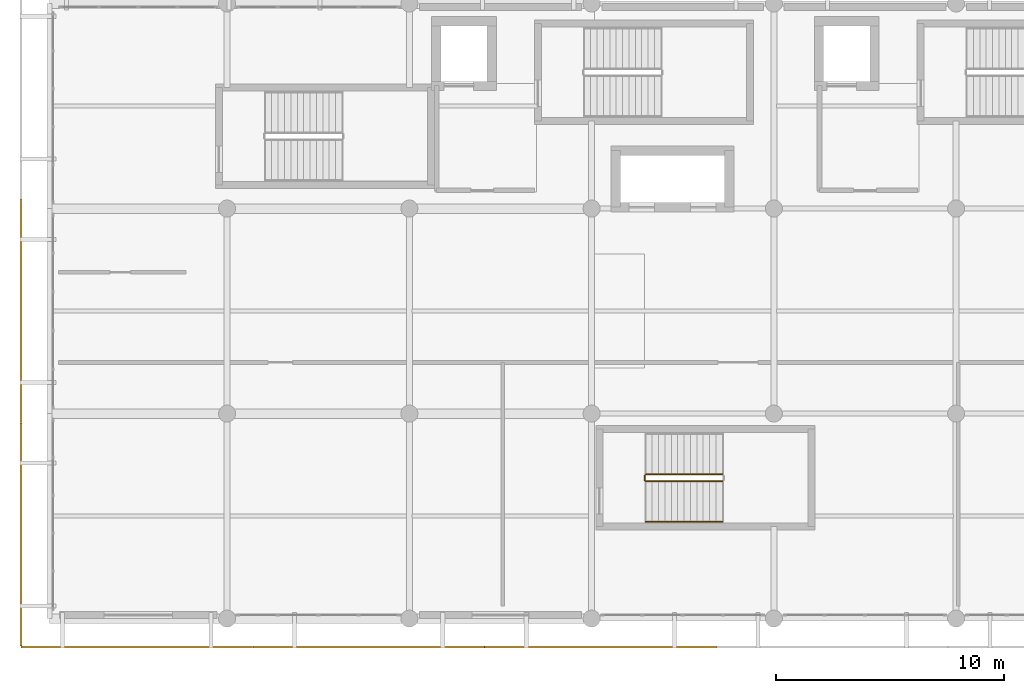
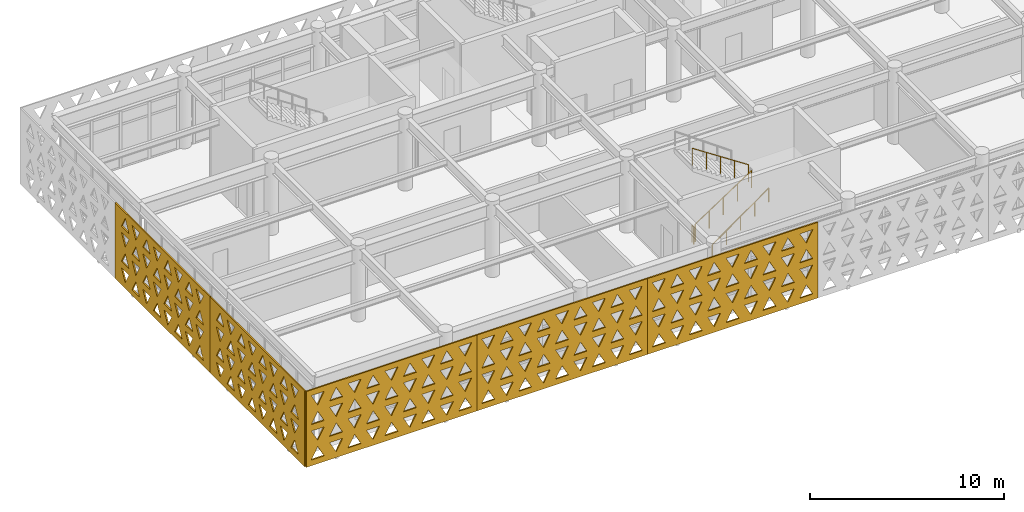
# One storey, part 26 of 33: 5 coverings, 4 railings.
"""IFC4 building model written with IfcOpenShell, lengths in metres."""

from ifc_helpers import new_model, si_unit, direction, frame, origin, origin_2d, place, context, subcontext, project, spatial, polyline, circle, outline, extrude, material, layer, layer_set, type_object, element, save


model = new_model("IFC4")

# Units and contexts
model_context = context("Model", 3, precision=1e-05, world=origin(), true_north=direction((0.0, 1.0)))
body_context = subcontext(model_context, "Body", "Model", "MODEL_VIEW")
ifc_project = project(units=[si_unit("LENGTHUNIT", "METRE"), si_unit("AREAUNIT", "SQUARE_METRE"), si_unit("VOLUMEUNIT", "CUBIC_METRE"), si_unit("PLANEANGLEUNIT", "RADIAN"), si_unit("MASSUNIT", "GRAM", prefix="KILO")], contexts=[model_context])

# Site, building, storey
site_placement = place(None, origin())
site = spatial("IfcSite", under=ifc_project, at=site_placement, CompositionType="ELEMENT")
building_placement = place(site_placement, origin())
building = spatial("IfcBuilding", under=site, at=building_placement, Name="Tlacozan Convention Centre", CompositionType="ELEMENT")
storey_placement = place(building_placement, frame((0.0, 0.0, 16.199951171875)))
storey = spatial("IfcBuildingStorey", under=building, at=storey_placement, Name="L03", CompositionType="ELEMENT", Elevation=16.199951171875)

# Railings
ifc_material_1 = material(Name="Architectural Painted Galvanised Steel Railing", Category="steel")
railing_type_1 = type_object("IfcRailingType", Name="Stair Wall Handrail 900", PredefinedType="HANDRAIL", material=ifc_material_1)
railing_1_placement = place(storey_placement, frame((26.3798828125, 4.25, 0.1845703125)))
element("IfcRailing", 1, at=railing_1_placement, inside=storey, type_object=railing_type_1, Name="L03 ST-16 stair handrail 1", PredefinedType="HANDRAIL", context=body_context, shape_type="SweptSolid", body=[
    extrude(circle(Radius=0.02392578125, at=origin_2d()), frame((0.0, 0.0, 0.8759765625), z_axis=(0.813725481382, 0.0, 0.581249379312), x_axis=(0.0, 1.0, 0.0)), (0.0, 0.0, 1.0), 4.12939453125),
    extrude(circle(Radius=0.02099609375, at=origin_2d()), origin(), (0.0, 0.0, 1.0), 0.851806640625),
    extrude(circle(Radius=0.02099609375, at=origin_2d()), frame((0.840087890625, 0.0, 0.60009765625)), (0.0, 0.0, 1.0), 0.851806640625),
    extrude(circle(Radius=0.02099609375, at=origin_2d()), frame((1.68017578125, 0.0, 1.2001953125)), (0.0, 0.0, 1.0), 0.851806640625),
    extrude(circle(Radius=0.02099609375, at=origin_2d()), frame((2.52001953125, 0.0, 1.800048828125)), (0.0, 0.0, 1.0), 0.851806640625),
    extrude(circle(Radius=0.02099609375, at=origin_2d()), frame((3.360107421875, 0.0, 2.400146484375)), (0.0, 0.0, 1.0), 0.851806640625),
])
railing_type_2 = type_object("IfcRailingType", Name="Stair Well Guardrail 1100", PredefinedType="GUARDRAIL", material=ifc_material_1)
railing_2_placement = place(storey_placement, frame((26.3798828125, 6.030029296875, 0.1845703125)))
element("IfcRailing", 2, at=railing_2_placement, inside=storey, type_object=railing_type_2, Name="L03 ST-16 stair guard 1", PredefinedType="GUARDRAIL", context=body_context, shape_type="SweptSolid", body=[
    extrude(circle(Radius=0.02392578125, at=origin_2d()), frame((0.0, 0.0, 1.076171875), z_axis=(0.834848600103, 0.0, 0.550479622607), x_axis=(0.0, 1.0, 0.0)), (0.0, 0.0, 1.0), 4.02490234375),
    extrude(circle(Radius=0.02099609375, at=origin_2d()), origin(), (0.0, 0.0, 1.0), 1.052001953125),
    extrude(circle(Radius=0.02099609375, at=origin_2d()), frame((0.840087890625, 0.0, 0.553955078125)), (0.0, 0.0, 1.0), 1.052001953125),
    extrude(circle(Radius=0.02099609375, at=origin_2d()), frame((1.68017578125, 0.0, 1.10791015625)), (0.0, 0.0, 1.0), 1.052001953125),
    extrude(circle(Radius=0.02099609375, at=origin_2d()), frame((2.52001953125, 0.0, 1.66162109375)), (0.0, 0.0, 1.0), 1.052001953125),
    extrude(circle(Radius=0.02099609375, at=origin_2d()), frame((3.360107421875, 0.0, 2.215576171875)), (0.0, 0.0, 1.0), 1.052001953125),
])
railing_3_placement = place(storey_placement, frame((29.739990234375, 6.330078125, 2.584716796875)))
element("IfcRailing", 3, at=railing_3_placement, inside=storey, type_object=railing_type_2, Name="L03 ST-16 stair guard 3", PredefinedType="GUARDRAIL", context=body_context, shape_type="SweptSolid", body=[
    extrude(circle(Radius=0.02392578125, at=origin_2d()), frame((0.0, 0.0, 1.076171875), z_axis=(-0.834876476806, 0.0, 0.550437342915), x_axis=(0.0, -1.0, 0.0)), (0.0, 0.0, 1.0), 4.024658203125),
    extrude(circle(Radius=0.02099609375, at=origin_2d()), origin(), (0.0, 0.0, 1.0), 1.052001953125),
    extrude(circle(Radius=0.02099609375, at=origin_2d()), frame((-0.840087890625, 0.0, 0.5537109375)), (0.0, 0.0, 1.0), 1.052001953125),
    extrude(circle(Radius=0.02099609375, at=origin_2d()), frame((-1.68017578125, 0.0, 1.107666015625)), (0.0, 0.0, 1.0), 1.052001953125),
    extrude(circle(Radius=0.02099609375, at=origin_2d()), frame((-2.52001953125, 0.0, 1.66162109375)), (0.0, 0.0, 1.0), 1.052001953125),
    extrude(circle(Radius=0.02099609375, at=origin_2d()), frame((-3.360107421875, 0.0, 2.21533203125)), (0.0, 0.0, 1.0), 1.052001953125),
])
railing_4_placement = place(storey_placement, frame((26.330078125, 6.080078125, 0.0)))
element("IfcRailing", 4, at=railing_4_placement, inside=storey, type_object=railing_type_2, Name="L03 ST-16 stair guard 4", PredefinedType="GUARDRAIL", context=body_context, shape_type="SweptSolid", body=[
    extrude(circle(Radius=0.02392578125, at=origin_2d()), frame((0.0, 0.0, 1.076171875), z_axis=(0.0, 1.0, 0.0), x_axis=(-1.0, 0.0, 0.0)), (0.0, 0.0, 1.0), 0.199951171875),
    extrude(circle(Radius=0.02099609375, at=origin_2d()), origin(), (0.0, 0.0, 1.0), 1.052001953125),
    extrude(circle(Radius=0.02099609375, at=origin_2d()), frame((0.0, 0.199951171875, 0.0)), (0.0, 0.0, 1.0), 1.052001953125),
])

# Coverings
ifc_material_2 = material(Name="Toluca Fired Terracotta Masonry Solar Screen", Category="masonry")
ifc_layer = layer(ifc_material_2, 0.080078125)
ifc_layer_set = layer_set([ifc_layer], Name="Toluca Fired Terracotta Masonry Solar Screen")
covering_type = type_object("IfcCoveringType", Name="Terracotta Triangle Solar Screen 80", PredefinedType="USERDEFINED", material=ifc_layer_set)
covering_1_placement = place(storey_placement, frame((-1.048095703125, -1.25, -0.030029296875), z_axis=(0.0, 0.0, 1.0), x_axis=(1.0, 0.0, 0.0)))
element("IfcCovering", 5, at=covering_1_placement, inside=storey, type_object=covering_type, Name="L03 Terracotta Triangle Screen 51", ObjectType="SCREEN", PredefinedType="USERDEFINED", context=body_context, shape_type="SweptSolid", body=[
    extrude(outline(polyline([(0.0, 0.0), (10.171142578125, 0.0), (10.171142578125, 4.780029296875), (0.0, 4.780029296875), (0.0, 0.0)]), holes=[polyline([(0.299560546875, 0.360107421875), (1.071533203125, 0.360107421875), (0.685546875, 1.074951171875), (0.299560546875, 0.360107421875)]), polyline([(1.399658203125, 1.074951171875), (2.171630859375, 1.074951171875), (1.78564453125, 0.360107421875), (1.399658203125, 1.074951171875)]), polyline([(2.49951171875, 0.360107421875), (3.271484375, 0.360107421875), (2.885498046875, 1.074951171875), (2.49951171875, 0.360107421875)]), polyline([(3.599609375, 1.074951171875), (4.37158203125, 1.074951171875), (3.985595703125, 0.360107421875), (3.599609375, 1.074951171875)]), polyline([(4.699462890625, 0.360107421875), (5.4716796875, 0.360107421875), (5.08544921875, 1.074951171875), (4.699462890625, 0.360107421875)]), polyline([(5.799560546875, 1.074951171875), (6.571533203125, 1.074951171875), (6.185546875, 0.360107421875), (5.799560546875, 1.074951171875)]), polyline([(6.899658203125, 0.360107421875), (7.671630859375, 0.360107421875), (7.28564453125, 1.074951171875), (6.899658203125, 0.360107421875)]), polyline([(7.99951171875, 1.074951171875), (8.771484375, 1.074951171875), (8.385498046875, 0.360107421875), (7.99951171875, 1.074951171875)]), polyline([(9.099609375, 0.360107421875), (9.87158203125, 0.360107421875), (9.485595703125, 1.074951171875), (9.099609375, 0.360107421875)]), polyline([(0.299560546875, 2.18994140625), (1.071533203125, 2.18994140625), (0.685546875, 1.47509765625), (0.299560546875, 2.18994140625)]), polyline([(1.399658203125, 1.47509765625), (2.171630859375, 1.47509765625), (1.78564453125, 2.18994140625), (1.399658203125, 1.47509765625)]), polyline([(2.49951171875, 2.18994140625), (3.271484375, 2.18994140625), (2.885498046875, 1.47509765625), (2.49951171875, 2.18994140625)]), polyline([(3.599609375, 1.47509765625), (4.37158203125, 1.47509765625), (3.985595703125, 2.18994140625), (3.599609375, 1.47509765625)]), polyline([(4.699462890625, 2.18994140625), (5.4716796875, 2.18994140625), (5.08544921875, 1.47509765625), (4.699462890625, 2.18994140625)]), polyline([(5.799560546875, 1.47509765625), (6.571533203125, 1.47509765625), (6.185546875, 2.18994140625), (5.799560546875, 1.47509765625)]), polyline([(6.899658203125, 2.18994140625), (7.671630859375, 2.18994140625), (7.28564453125, 1.47509765625), (6.899658203125, 2.18994140625)]), polyline([(7.99951171875, 1.47509765625), (8.771484375, 1.47509765625), (8.385498046875, 2.18994140625), (7.99951171875, 1.47509765625)]), polyline([(9.099609375, 2.18994140625), (9.87158203125, 2.18994140625), (9.485595703125, 1.47509765625), (9.099609375, 2.18994140625)]), polyline([(0.299560546875, 2.590087890625), (1.071533203125, 2.590087890625), (0.685546875, 3.304931640625), (0.299560546875, 2.590087890625)]), polyline([(1.399658203125, 3.304931640625), (2.171630859375, 3.304931640625), (1.78564453125, 2.590087890625), (1.399658203125, 3.304931640625)]), polyline([(2.49951171875, 2.590087890625), (3.271484375, 2.590087890625), (2.885498046875, 3.304931640625), (2.49951171875, 2.590087890625)]), polyline([(3.599609375, 3.304931640625), (4.37158203125, 3.304931640625), (3.985595703125, 2.590087890625), (3.599609375, 3.304931640625)]), polyline([(4.699462890625, 2.590087890625), (5.4716796875, 2.590087890625), (5.08544921875, 3.304931640625), (4.699462890625, 2.590087890625)]), polyline([(5.799560546875, 3.304931640625), (6.571533203125, 3.304931640625), (6.185546875, 2.590087890625), (5.799560546875, 3.304931640625)]), polyline([(6.899658203125, 2.590087890625), (7.671630859375, 2.590087890625), (7.28564453125, 3.304931640625), (6.899658203125, 2.590087890625)]), polyline([(7.99951171875, 3.304931640625), (8.771484375, 3.304931640625), (8.385498046875, 2.590087890625), (7.99951171875, 3.304931640625)]), polyline([(9.099609375, 2.590087890625), (9.87158203125, 2.590087890625), (9.485595703125, 3.304931640625), (9.099609375, 2.590087890625)]), polyline([(0.299560546875, 4.419921875), (1.071533203125, 4.419921875), (0.685546875, 3.705078125), (0.299560546875, 4.419921875)]), polyline([(1.399658203125, 3.705078125), (2.171630859375, 3.705078125), (1.78564453125, 4.419921875), (1.399658203125, 3.705078125)]), polyline([(2.49951171875, 4.419921875), (3.271484375, 4.419921875), (2.885498046875, 3.705078125), (2.49951171875, 4.419921875)]), polyline([(3.599609375, 3.705078125), (4.37158203125, 3.705078125), (3.985595703125, 4.419921875), (3.599609375, 3.705078125)]), polyline([(4.699462890625, 4.419921875), (5.4716796875, 4.419921875), (5.08544921875, 3.705078125), (4.699462890625, 4.419921875)]), polyline([(5.799560546875, 3.705078125), (6.571533203125, 3.705078125), (6.185546875, 4.419921875), (5.799560546875, 3.705078125)]), polyline([(6.899658203125, 4.419921875), (7.671630859375, 4.419921875), (7.28564453125, 3.705078125), (6.899658203125, 4.419921875)]), polyline([(7.99951171875, 3.705078125), (8.771484375, 3.705078125), (8.385498046875, 4.419921875), (7.99951171875, 3.705078125)]), polyline([(9.099609375, 4.419921875), (9.87158203125, 4.419921875), (9.485595703125, 3.705078125), (9.099609375, 4.419921875)])]), frame((0.0, 0.0400390625, 0.0), z_axis=(0.0, -1.0, 0.0), x_axis=(1.0, 0.0, 0.0)), (0.0, 0.0, 1.0), 0.080078125),
])
covering_2_placement = place(storey_placement, frame((9.126953125, -1.25, -0.030029296875), z_axis=(0.0, 0.0, 1.0), x_axis=(1.0, 0.0, 0.0)))
element("IfcCovering", 6, at=covering_2_placement, inside=storey, type_object=covering_type, Name="L03 Terracotta Triangle Screen 52", ObjectType="SCREEN", PredefinedType="USERDEFINED", context=body_context, shape_type="SweptSolid", body=[
    extrude(outline(polyline([(0.0, 0.0), (10.171142578125, 0.0), (10.171142578125, 4.780029296875), (0.0, 4.780029296875), (0.0, 0.0)]), holes=[polyline([(0.299560546875, 0.360107421875), (1.071533203125, 0.360107421875), (0.685546875, 1.074951171875), (0.299560546875, 0.360107421875)]), polyline([(1.399658203125, 1.074951171875), (2.171630859375, 1.074951171875), (1.78564453125, 0.360107421875), (1.399658203125, 1.074951171875)]), polyline([(2.49951171875, 0.360107421875), (3.271484375, 0.360107421875), (2.885498046875, 1.074951171875), (2.49951171875, 0.360107421875)]), polyline([(3.599609375, 1.074951171875), (4.37158203125, 1.074951171875), (3.985595703125, 0.360107421875), (3.599609375, 1.074951171875)]), polyline([(4.699462890625, 0.360107421875), (5.4716796875, 0.360107421875), (5.08544921875, 1.074951171875), (4.699462890625, 0.360107421875)]), polyline([(5.799560546875, 1.074951171875), (6.571533203125, 1.074951171875), (6.185546875, 0.360107421875), (5.799560546875, 1.074951171875)]), polyline([(6.899658203125, 0.360107421875), (7.671630859375, 0.360107421875), (7.28564453125, 1.074951171875), (6.899658203125, 0.360107421875)]), polyline([(7.99951171875, 1.074951171875), (8.771484375, 1.074951171875), (8.385498046875, 0.360107421875), (7.99951171875, 1.074951171875)]), polyline([(9.099609375, 0.360107421875), (9.87158203125, 0.360107421875), (9.485595703125, 1.074951171875), (9.099609375, 0.360107421875)]), polyline([(0.299560546875, 2.18994140625), (1.071533203125, 2.18994140625), (0.685546875, 1.47509765625), (0.299560546875, 2.18994140625)]), polyline([(1.399658203125, 1.47509765625), (2.171630859375, 1.47509765625), (1.78564453125, 2.18994140625), (1.399658203125, 1.47509765625)]), polyline([(2.49951171875, 2.18994140625), (3.271484375, 2.18994140625), (2.885498046875, 1.47509765625), (2.49951171875, 2.18994140625)]), polyline([(3.599609375, 1.47509765625), (4.37158203125, 1.47509765625), (3.985595703125, 2.18994140625), (3.599609375, 1.47509765625)]), polyline([(4.699462890625, 2.18994140625), (5.4716796875, 2.18994140625), (5.08544921875, 1.47509765625), (4.699462890625, 2.18994140625)]), polyline([(5.799560546875, 1.47509765625), (6.571533203125, 1.47509765625), (6.185546875, 2.18994140625), (5.799560546875, 1.47509765625)]), polyline([(6.899658203125, 2.18994140625), (7.671630859375, 2.18994140625), (7.28564453125, 1.47509765625), (6.899658203125, 2.18994140625)]), polyline([(7.99951171875, 1.47509765625), (8.771484375, 1.47509765625), (8.385498046875, 2.18994140625), (7.99951171875, 1.47509765625)]), polyline([(9.099609375, 2.18994140625), (9.87158203125, 2.18994140625), (9.485595703125, 1.47509765625), (9.099609375, 2.18994140625)]), polyline([(0.299560546875, 2.590087890625), (1.071533203125, 2.590087890625), (0.685546875, 3.304931640625), (0.299560546875, 2.590087890625)]), polyline([(1.399658203125, 3.304931640625), (2.171630859375, 3.304931640625), (1.78564453125, 2.590087890625), (1.399658203125, 3.304931640625)]), polyline([(2.49951171875, 2.590087890625), (3.271484375, 2.590087890625), (2.885498046875, 3.304931640625), (2.49951171875, 2.590087890625)]), polyline([(3.599609375, 3.304931640625), (4.37158203125, 3.304931640625), (3.985595703125, 2.590087890625), (3.599609375, 3.304931640625)]), polyline([(4.699462890625, 2.590087890625), (5.4716796875, 2.590087890625), (5.08544921875, 3.304931640625), (4.699462890625, 2.590087890625)]), polyline([(5.799560546875, 3.304931640625), (6.571533203125, 3.304931640625), (6.185546875, 2.590087890625), (5.799560546875, 3.304931640625)]), polyline([(6.899658203125, 2.590087890625), (7.671630859375, 2.590087890625), (7.28564453125, 3.304931640625), (6.899658203125, 2.590087890625)]), polyline([(7.99951171875, 3.304931640625), (8.771484375, 3.304931640625), (8.385498046875, 2.590087890625), (7.99951171875, 3.304931640625)]), polyline([(9.099609375, 2.590087890625), (9.87158203125, 2.590087890625), (9.485595703125, 3.304931640625), (9.099609375, 2.590087890625)]), polyline([(0.299560546875, 4.419921875), (1.071533203125, 4.419921875), (0.685546875, 3.705078125), (0.299560546875, 4.419921875)]), polyline([(1.399658203125, 3.705078125), (2.171630859375, 3.705078125), (1.78564453125, 4.419921875), (1.399658203125, 3.705078125)]), polyline([(2.49951171875, 4.419921875), (3.271484375, 4.419921875), (2.885498046875, 3.705078125), (2.49951171875, 4.419921875)]), polyline([(3.599609375, 3.705078125), (4.37158203125, 3.705078125), (3.985595703125, 4.419921875), (3.599609375, 3.705078125)]), polyline([(4.699462890625, 4.419921875), (5.4716796875, 4.419921875), (5.08544921875, 3.705078125), (4.699462890625, 4.419921875)]), polyline([(5.799560546875, 3.705078125), (6.571533203125, 3.705078125), (6.185546875, 4.419921875), (5.799560546875, 3.705078125)]), polyline([(6.899658203125, 4.419921875), (7.671630859375, 4.419921875), (7.28564453125, 3.705078125), (6.899658203125, 4.419921875)]), polyline([(7.99951171875, 3.705078125), (8.771484375, 3.705078125), (8.385498046875, 4.419921875), (7.99951171875, 3.705078125)]), polyline([(9.099609375, 4.419921875), (9.87158203125, 4.419921875), (9.485595703125, 3.705078125), (9.099609375, 4.419921875)])]), frame((0.0, 0.0400390625, 0.0), z_axis=(0.0, -1.0, 0.0), x_axis=(1.0, 0.0, 0.0)), (0.0, 0.0, 1.0), 0.080078125),
])
covering_3_placement = place(storey_placement, frame((19.302001953125, -1.25, -0.030029296875), z_axis=(0.0, 0.0, 1.0), x_axis=(1.0, 0.0, 0.0)))
element("IfcCovering", 7, at=covering_3_placement, inside=storey, type_object=covering_type, Name="L03 Terracotta Triangle Screen 53", ObjectType="SCREEN", PredefinedType="USERDEFINED", context=body_context, shape_type="SweptSolid", body=[
    extrude(outline(polyline([(0.0, 0.0), (10.1708984375, 0.0), (10.1708984375, 4.780029296875), (0.0, 4.780029296875), (0.0, 0.0)]), holes=[polyline([(0.29931640625, 0.360107421875), (1.071533203125, 0.360107421875), (0.685546875, 1.074951171875), (0.29931640625, 0.360107421875)]), polyline([(1.3994140625, 1.074951171875), (2.17138671875, 1.074951171875), (1.785400390625, 0.360107421875), (1.3994140625, 1.074951171875)]), polyline([(2.49951171875, 0.360107421875), (3.271484375, 0.360107421875), (2.885498046875, 1.074951171875), (2.49951171875, 0.360107421875)]), polyline([(3.599365234375, 1.074951171875), (4.37158203125, 1.074951171875), (3.9853515625, 0.360107421875), (3.599365234375, 1.074951171875)]), polyline([(4.699462890625, 0.360107421875), (5.471435546875, 0.360107421875), (5.08544921875, 1.074951171875), (4.699462890625, 0.360107421875)]), polyline([(5.79931640625, 1.074951171875), (6.571533203125, 1.074951171875), (6.185546875, 0.360107421875), (5.79931640625, 1.074951171875)]), polyline([(6.8994140625, 0.360107421875), (7.67138671875, 0.360107421875), (7.285400390625, 1.074951171875), (6.8994140625, 0.360107421875)]), polyline([(7.99951171875, 1.074951171875), (8.771484375, 1.074951171875), (8.385498046875, 0.360107421875), (7.99951171875, 1.074951171875)]), polyline([(9.099365234375, 0.360107421875), (9.87158203125, 0.360107421875), (9.4853515625, 1.074951171875), (9.099365234375, 0.360107421875)]), polyline([(0.29931640625, 2.18994140625), (1.071533203125, 2.18994140625), (0.685546875, 1.47509765625), (0.29931640625, 2.18994140625)]), polyline([(1.3994140625, 1.47509765625), (2.17138671875, 1.47509765625), (1.785400390625, 2.18994140625), (1.3994140625, 1.47509765625)]), polyline([(2.49951171875, 2.18994140625), (3.271484375, 2.18994140625), (2.885498046875, 1.47509765625), (2.49951171875, 2.18994140625)]), polyline([(3.599365234375, 1.47509765625), (4.37158203125, 1.47509765625), (3.9853515625, 2.18994140625), (3.599365234375, 1.47509765625)]), polyline([(4.699462890625, 2.18994140625), (5.471435546875, 2.18994140625), (5.08544921875, 1.47509765625), (4.699462890625, 2.18994140625)]), polyline([(5.79931640625, 1.47509765625), (6.571533203125, 1.47509765625), (6.185546875, 2.18994140625), (5.79931640625, 1.47509765625)]), polyline([(6.8994140625, 2.18994140625), (7.67138671875, 2.18994140625), (7.285400390625, 1.47509765625), (6.8994140625, 2.18994140625)]), polyline([(7.99951171875, 1.47509765625), (8.771484375, 1.47509765625), (8.385498046875, 2.18994140625), (7.99951171875, 1.47509765625)]), polyline([(9.099365234375, 2.18994140625), (9.87158203125, 2.18994140625), (9.4853515625, 1.47509765625), (9.099365234375, 2.18994140625)]), polyline([(0.29931640625, 2.590087890625), (1.071533203125, 2.590087890625), (0.685546875, 3.304931640625), (0.29931640625, 2.590087890625)]), polyline([(1.3994140625, 3.304931640625), (2.17138671875, 3.304931640625), (1.785400390625, 2.590087890625), (1.3994140625, 3.304931640625)]), polyline([(2.49951171875, 2.590087890625), (3.271484375, 2.590087890625), (2.885498046875, 3.304931640625), (2.49951171875, 2.590087890625)]), polyline([(3.599365234375, 3.304931640625), (4.37158203125, 3.304931640625), (3.9853515625, 2.590087890625), (3.599365234375, 3.304931640625)]), polyline([(4.699462890625, 2.590087890625), (5.471435546875, 2.590087890625), (5.08544921875, 3.304931640625), (4.699462890625, 2.590087890625)]), polyline([(5.79931640625, 3.304931640625), (6.571533203125, 3.304931640625), (6.185546875, 2.590087890625), (5.79931640625, 3.304931640625)]), polyline([(6.8994140625, 2.590087890625), (7.67138671875, 2.590087890625), (7.285400390625, 3.304931640625), (6.8994140625, 2.590087890625)]), polyline([(7.99951171875, 3.304931640625), (8.771484375, 3.304931640625), (8.385498046875, 2.590087890625), (7.99951171875, 3.304931640625)]), polyline([(9.099365234375, 2.590087890625), (9.87158203125, 2.590087890625), (9.4853515625, 3.304931640625), (9.099365234375, 2.590087890625)]), polyline([(0.29931640625, 4.419921875), (1.071533203125, 4.419921875), (0.685546875, 3.705078125), (0.29931640625, 4.419921875)]), polyline([(1.3994140625, 3.705078125), (2.17138671875, 3.705078125), (1.785400390625, 4.419921875), (1.3994140625, 3.705078125)]), polyline([(2.49951171875, 4.419921875), (3.271484375, 4.419921875), (2.885498046875, 3.705078125), (2.49951171875, 4.419921875)]), polyline([(3.599365234375, 3.705078125), (4.37158203125, 3.705078125), (3.9853515625, 4.419921875), (3.599365234375, 3.705078125)]), polyline([(4.699462890625, 4.419921875), (5.471435546875, 4.419921875), (5.08544921875, 3.705078125), (4.699462890625, 4.419921875)]), polyline([(5.79931640625, 3.705078125), (6.571533203125, 3.705078125), (6.185546875, 4.419921875), (5.79931640625, 3.705078125)]), polyline([(6.8994140625, 4.419921875), (7.67138671875, 4.419921875), (7.285400390625, 3.705078125), (6.8994140625, 4.419921875)]), polyline([(7.99951171875, 3.705078125), (8.771484375, 3.705078125), (8.385498046875, 4.419921875), (7.99951171875, 3.705078125)]), polyline([(9.099365234375, 4.419921875), (9.87158203125, 4.419921875), (9.4853515625, 3.705078125), (9.099365234375, 4.419921875)])]), frame((0.0, 0.0400390625, 0.0), z_axis=(0.0, -1.0, 0.0), x_axis=(1.0, 0.0, 0.0)), (0.0, 0.0, 1.0), 0.080078125),
])
covering_4_placement = place(storey_placement, frame((-1.050048828125, -1.205078125, -0.030029296875), z_axis=(0.0, 0.0, 1.0), x_axis=(0.0, 1.0, 0.0)))
element("IfcCovering", 8, at=covering_4_placement, inside=storey, type_object=covering_type, Name="L03 Terracotta Triangle Screen 63", ObjectType="SCREEN", PredefinedType="USERDEFINED", context=body_context, shape_type="SweptSolid", body=[
    extrude(outline(polyline([(0.0, 0.0), (9.80078125, 0.0), (9.80078125, 4.780029296875), (0.0, 4.780029296875), (0.0, 0.0)]), holes=[polyline([(0.664306640625, 0.360107421875), (1.4365234375, 0.360107421875), (1.05029296875, 1.074951171875), (0.664306640625, 0.360107421875)]), polyline([(1.764404296875, 1.074951171875), (2.536376953125, 1.074951171875), (2.150390625, 0.360107421875), (1.764404296875, 1.074951171875)]), polyline([(2.8642578125, 0.360107421875), (3.636474609375, 0.360107421875), (3.25048828125, 1.074951171875), (2.8642578125, 0.360107421875)]), polyline([(3.96435546875, 1.074951171875), (4.736328125, 1.074951171875), (4.350341796875, 0.360107421875), (3.96435546875, 1.074951171875)]), polyline([(5.064453125, 0.360107421875), (5.83642578125, 0.360107421875), (5.450439453125, 1.074951171875), (5.064453125, 0.360107421875)]), polyline([(6.164306640625, 1.074951171875), (6.9365234375, 1.074951171875), (6.55029296875, 0.360107421875), (6.164306640625, 1.074951171875)]), polyline([(7.264404296875, 0.360107421875), (8.036376953125, 0.360107421875), (7.650390625, 1.074951171875), (7.264404296875, 0.360107421875)]), polyline([(8.3642578125, 1.074951171875), (9.136474609375, 1.074951171875), (8.75048828125, 0.360107421875), (8.3642578125, 1.074951171875)]), polyline([(0.664306640625, 2.18994140625), (1.4365234375, 2.18994140625), (1.05029296875, 1.47509765625), (0.664306640625, 2.18994140625)]), polyline([(1.764404296875, 1.47509765625), (2.536376953125, 1.47509765625), (2.150390625, 2.18994140625), (1.764404296875, 1.47509765625)]), polyline([(2.8642578125, 2.18994140625), (3.636474609375, 2.18994140625), (3.25048828125, 1.47509765625), (2.8642578125, 2.18994140625)]), polyline([(3.96435546875, 1.47509765625), (4.736328125, 1.47509765625), (4.350341796875, 2.18994140625), (3.96435546875, 1.47509765625)]), polyline([(5.064453125, 2.18994140625), (5.83642578125, 2.18994140625), (5.450439453125, 1.47509765625), (5.064453125, 2.18994140625)]), polyline([(6.164306640625, 1.47509765625), (6.9365234375, 1.47509765625), (6.55029296875, 2.18994140625), (6.164306640625, 1.47509765625)]), polyline([(7.264404296875, 2.18994140625), (8.036376953125, 2.18994140625), (7.650390625, 1.47509765625), (7.264404296875, 2.18994140625)]), polyline([(8.3642578125, 1.47509765625), (9.136474609375, 1.47509765625), (8.75048828125, 2.18994140625), (8.3642578125, 1.47509765625)]), polyline([(0.664306640625, 2.590087890625), (1.4365234375, 2.590087890625), (1.05029296875, 3.304931640625), (0.664306640625, 2.590087890625)]), polyline([(1.764404296875, 3.304931640625), (2.536376953125, 3.304931640625), (2.150390625, 2.590087890625), (1.764404296875, 3.304931640625)]), polyline([(2.8642578125, 2.590087890625), (3.636474609375, 2.590087890625), (3.25048828125, 3.304931640625), (2.8642578125, 2.590087890625)]), polyline([(3.96435546875, 3.304931640625), (4.736328125, 3.304931640625), (4.350341796875, 2.590087890625), (3.96435546875, 3.304931640625)]), polyline([(5.064453125, 2.590087890625), (5.83642578125, 2.590087890625), (5.450439453125, 3.304931640625), (5.064453125, 2.590087890625)]), polyline([(6.164306640625, 3.304931640625), (6.9365234375, 3.304931640625), (6.55029296875, 2.590087890625), (6.164306640625, 3.304931640625)]), polyline([(7.264404296875, 2.590087890625), (8.036376953125, 2.590087890625), (7.650390625, 3.304931640625), (7.264404296875, 2.590087890625)]), polyline([(8.3642578125, 3.304931640625), (9.136474609375, 3.304931640625), (8.75048828125, 2.590087890625), (8.3642578125, 3.304931640625)]), polyline([(0.664306640625, 4.419921875), (1.4365234375, 4.419921875), (1.05029296875, 3.705078125), (0.664306640625, 4.419921875)]), polyline([(1.764404296875, 3.705078125), (2.536376953125, 3.705078125), (2.150390625, 4.419921875), (1.764404296875, 3.705078125)]), polyline([(2.8642578125, 4.419921875), (3.636474609375, 4.419921875), (3.25048828125, 3.705078125), (2.8642578125, 4.419921875)]), polyline([(3.96435546875, 3.705078125), (4.736328125, 3.705078125), (4.350341796875, 4.419921875), (3.96435546875, 3.705078125)]), polyline([(5.064453125, 4.419921875), (5.83642578125, 4.419921875), (5.450439453125, 3.705078125), (5.064453125, 4.419921875)]), polyline([(6.164306640625, 3.705078125), (6.9365234375, 3.705078125), (6.55029296875, 4.419921875), (6.164306640625, 3.705078125)]), polyline([(7.264404296875, 4.419921875), (8.036376953125, 4.419921875), (7.650390625, 3.705078125), (7.264404296875, 4.419921875)]), polyline([(8.3642578125, 3.705078125), (9.136474609375, 3.705078125), (8.75048828125, 4.419921875), (8.3642578125, 3.705078125)])]), frame((0.0, 0.0400390625, 0.0), z_axis=(0.0, -1.0, 0.0), x_axis=(1.0, 0.0, 0.0)), (0.0, 0.0, 1.0), 0.080078125),
])
covering_5_placement = place(storey_placement, frame((-1.050048828125, 8.599609375, -0.030029296875), z_axis=(0.0, 0.0, 1.0), x_axis=(0.0, 1.0, 0.0)))
element("IfcCovering", 9, at=covering_5_placement, inside=storey, type_object=covering_type, Name="L03 Terracotta Triangle Screen 64", ObjectType="SCREEN", PredefinedType="USERDEFINED", context=body_context, shape_type="SweptSolid", body=[
    extrude(outline(polyline([(0.0, 0.0), (9.80078125, 0.0), (9.80078125, 4.780029296875), (0.0, 4.780029296875), (0.0, 0.0)]), holes=[polyline([(0.664306640625, 0.360107421875), (1.4365234375, 0.360107421875), (1.05029296875, 1.074951171875), (0.664306640625, 0.360107421875)]), polyline([(1.764404296875, 1.074951171875), (2.536376953125, 1.074951171875), (2.150390625, 0.360107421875), (1.764404296875, 1.074951171875)]), polyline([(2.8642578125, 0.360107421875), (3.636474609375, 0.360107421875), (3.25048828125, 1.074951171875), (2.8642578125, 0.360107421875)]), polyline([(3.96435546875, 1.074951171875), (4.736328125, 1.074951171875), (4.350341796875, 0.360107421875), (3.96435546875, 1.074951171875)]), polyline([(5.064453125, 0.360107421875), (5.83642578125, 0.360107421875), (5.450439453125, 1.074951171875), (5.064453125, 0.360107421875)]), polyline([(6.164306640625, 1.074951171875), (6.9365234375, 1.074951171875), (6.55029296875, 0.360107421875), (6.164306640625, 1.074951171875)]), polyline([(7.264404296875, 0.360107421875), (8.036376953125, 0.360107421875), (7.650390625, 1.074951171875), (7.264404296875, 0.360107421875)]), polyline([(8.3642578125, 1.074951171875), (9.136474609375, 1.074951171875), (8.75048828125, 0.360107421875), (8.3642578125, 1.074951171875)]), polyline([(0.664306640625, 2.18994140625), (1.4365234375, 2.18994140625), (1.05029296875, 1.47509765625), (0.664306640625, 2.18994140625)]), polyline([(1.764404296875, 1.47509765625), (2.536376953125, 1.47509765625), (2.150390625, 2.18994140625), (1.764404296875, 1.47509765625)]), polyline([(2.8642578125, 2.18994140625), (3.636474609375, 2.18994140625), (3.25048828125, 1.47509765625), (2.8642578125, 2.18994140625)]), polyline([(3.96435546875, 1.47509765625), (4.736328125, 1.47509765625), (4.350341796875, 2.18994140625), (3.96435546875, 1.47509765625)]), polyline([(5.064453125, 2.18994140625), (5.83642578125, 2.18994140625), (5.450439453125, 1.47509765625), (5.064453125, 2.18994140625)]), polyline([(6.164306640625, 1.47509765625), (6.9365234375, 1.47509765625), (6.55029296875, 2.18994140625), (6.164306640625, 1.47509765625)]), polyline([(7.264404296875, 2.18994140625), (8.036376953125, 2.18994140625), (7.650390625, 1.47509765625), (7.264404296875, 2.18994140625)]), polyline([(8.3642578125, 1.47509765625), (9.136474609375, 1.47509765625), (8.75048828125, 2.18994140625), (8.3642578125, 1.47509765625)]), polyline([(0.664306640625, 2.590087890625), (1.4365234375, 2.590087890625), (1.05029296875, 3.304931640625), (0.664306640625, 2.590087890625)]), polyline([(1.764404296875, 3.304931640625), (2.536376953125, 3.304931640625), (2.150390625, 2.590087890625), (1.764404296875, 3.304931640625)]), polyline([(2.8642578125, 2.590087890625), (3.636474609375, 2.590087890625), (3.25048828125, 3.304931640625), (2.8642578125, 2.590087890625)]), polyline([(3.96435546875, 3.304931640625), (4.736328125, 3.304931640625), (4.350341796875, 2.590087890625), (3.96435546875, 3.304931640625)]), polyline([(5.064453125, 2.590087890625), (5.83642578125, 2.590087890625), (5.450439453125, 3.304931640625), (5.064453125, 2.590087890625)]), polyline([(6.164306640625, 3.304931640625), (6.9365234375, 3.304931640625), (6.55029296875, 2.590087890625), (6.164306640625, 3.304931640625)]), polyline([(7.264404296875, 2.590087890625), (8.036376953125, 2.590087890625), (7.650390625, 3.304931640625), (7.264404296875, 2.590087890625)]), polyline([(8.3642578125, 3.304931640625), (9.136474609375, 3.304931640625), (8.75048828125, 2.590087890625), (8.3642578125, 3.304931640625)]), polyline([(0.664306640625, 4.419921875), (1.4365234375, 4.419921875), (1.05029296875, 3.705078125), (0.664306640625, 4.419921875)]), polyline([(1.764404296875, 3.705078125), (2.536376953125, 3.705078125), (2.150390625, 4.419921875), (1.764404296875, 3.705078125)]), polyline([(2.8642578125, 4.419921875), (3.636474609375, 4.419921875), (3.25048828125, 3.705078125), (2.8642578125, 4.419921875)]), polyline([(3.96435546875, 3.705078125), (4.736328125, 3.705078125), (4.350341796875, 4.419921875), (3.96435546875, 3.705078125)]), polyline([(5.064453125, 4.419921875), (5.83642578125, 4.419921875), (5.450439453125, 3.705078125), (5.064453125, 4.419921875)]), polyline([(6.164306640625, 3.705078125), (6.9365234375, 3.705078125), (6.55029296875, 4.419921875), (6.164306640625, 3.705078125)]), polyline([(7.264404296875, 4.419921875), (8.036376953125, 4.419921875), (7.650390625, 3.705078125), (7.264404296875, 4.419921875)]), polyline([(8.3642578125, 3.705078125), (9.136474609375, 3.705078125), (8.75048828125, 4.419921875), (8.3642578125, 3.705078125)])]), frame((0.0, 0.0400390625, 0.0), z_axis=(0.0, -1.0, 0.0), x_axis=(1.0, 0.0, 0.0)), (0.0, 0.0, 1.0), 0.080078125),
])

save(model, "model.ifc")
